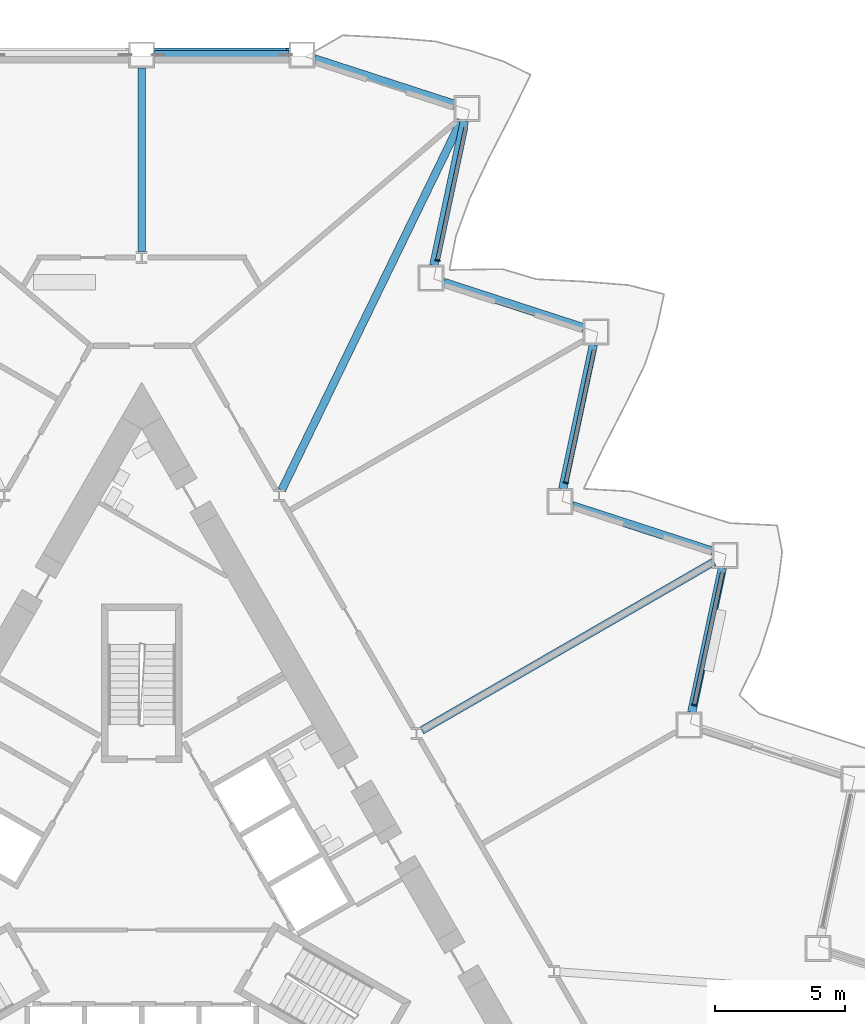
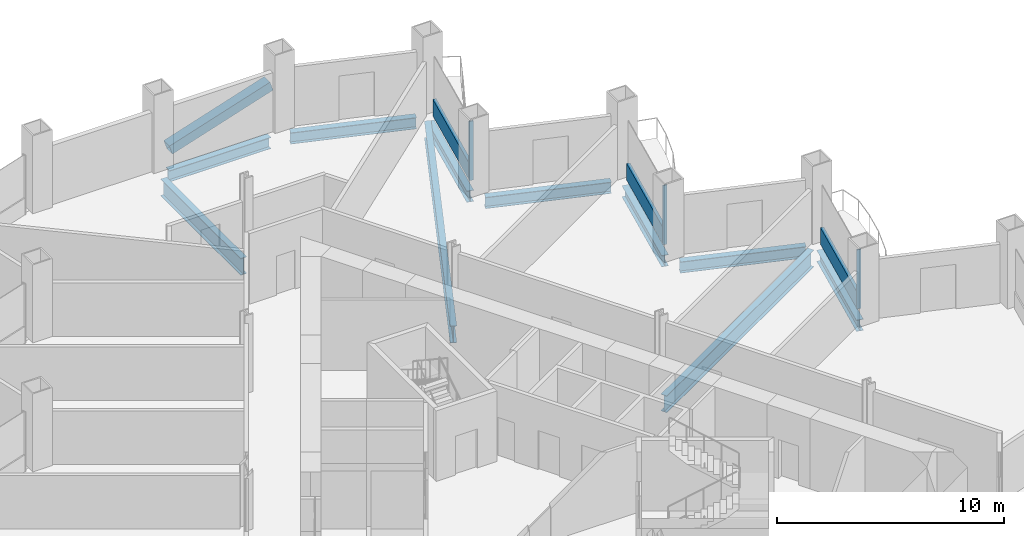
# One storey, part 7 of 21: 10 beams, 7 members, 3 elements without a shape of their own.
"""IFC4 building model written with IfcOpenShell, lengths in metres."""

from ifc_helpers import new_model, si_unit, direction, frame, origin, origin_2d, place, context, subcontext, project, spatial, rectangle, hollow_rectangle, i_section, extrude, material, layer, layer_set, material_profile, profile_set, type_object, element, aggregate, save


model = new_model("IFC4")

# Units and contexts
model_context = context("Model", 3, precision=1e-05, world=origin(), true_north=direction((0.0, 1.0)))
body_context = subcontext(model_context, "Body", "Model", "MODEL_VIEW")
ifc_project = project(units=[si_unit("LENGTHUNIT", "METRE"), si_unit("AREAUNIT", "SQUARE_METRE"), si_unit("VOLUMEUNIT", "CUBIC_METRE"), si_unit("PLANEANGLEUNIT", "RADIAN"), si_unit("MASSUNIT", "GRAM", prefix="KILO")], contexts=[model_context])

# Site, building, storey
site_placement = place(None, origin())
site = spatial("IfcSite", under=ifc_project, at=site_placement, CompositionType="ELEMENT")
building_placement = place(site_placement, origin())
building = spatial("IfcBuilding", under=site, at=building_placement, Name="Cormorant Prow Tower", CompositionType="ELEMENT")
storey_placement = place(building_placement, frame((0.0, 0.0, 80.39990234375)))
storey = spatial("IfcBuildingStorey", under=building, at=storey_placement, Name="L17", CompositionType="ELEMENT", Elevation=80.39990234375)

# Member
ifc_material_1 = material(Name="Structural steel ASTM A500 Gr C", Category="steel")
ifc_material_profile_1 = material_profile(ifc_material_1, hollow_rectangle(XDim=0.508056640625, YDim=0.508056640625, WallThickness=0.014892578125, at=origin_2d()), Name="HSS20x20x5/8")
ifc_profile_set_1 = profile_set([ifc_material_profile_1], Name="Structural steel ASTM A500 Gr C")
member_type_1 = type_object("IfcMemberType", Name="Chamfer brace HSS20x20x5/8", PredefinedType="BRACE", material=ifc_profile_set_1)
member_1_placement = place(storey_placement, frame((0.518798828125, 32.233642578125, 0.767333984375), z_axis=(0.951761092368, 0.0, 0.306840061033), x_axis=(0.0, 1.0, 0.0)))
element("IfcMember", 1, at=member_1_placement, inside=storey, type_object=member_type_1, Name="Chamfer brace BR1 at N00 L17", PredefinedType="BRACE", context=body_context, shape_type="SweptSolid", body=[
    extrude(hollow_rectangle(XDim=0.508056640625, YDim=0.508056640625, WallThickness=0.014892578125, at=origin_2d()), origin(), (0.0, 0.0, 1.0), 5.39208984375),
])

# Curtain wall, member
ifc_material_2 = material(Name="Aluminium 6063-T6", Category="aluminium")
ifc_layer = layer(ifc_material_2, 0.199951171875)
ifc_layer_set = layer_set([ifc_layer], Name="Aluminium 6063-T6")
curtain_wall_type = type_object("IfcCurtainWallType", Name="Office unitised curtain wall 200", PredefinedType="NOTDEFINED", material=ifc_layer_set)
curtain_wall_1_placement = place(storey_placement, origin())
curtain_wall_1 = element("IfcCurtainWall", 2, at=curtain_wall_1_placement, inside=storey, type_object=curtain_wall_type, Name="Office curtain wall ENE04", PredefinedType="NOTDEFINED")
ifc_material_3 = material(Name="Aluminium 6063-T6", Category="aluminium")
ifc_material_profile_2 = material_profile(ifc_material_3, rectangle(XDim=0.199951171875, YDim=0.06005859375, at=origin_2d()), Name="Office mullion 60x200")
ifc_profile_set_2 = profile_set([ifc_material_profile_2], Name="Aluminium 6063-T6")
member_type_2 = type_object("IfcMemberType", Name="Office mullion 60x200", PredefinedType="MULLION", material=ifc_profile_set_2)
member_2_placement = place(storey_placement, frame((21.271484375, 7.205322265625, 0.0), z_axis=(0.0, 0.0, 1.0), x_axis=(-0.978147594021, 0.207911722401, 0.0)))
member_2 = element("IfcMember", 3, at=member_2_placement, type_object=member_type_2, Name="Office mullion ENE04", PredefinedType="MULLION", context=body_context, shape_type="SweptSolid", body=[
    extrude(rectangle(XDim=0.199951171875, YDim=0.06005859375, at=origin_2d()), origin(), (0.0, 0.0, 1.0), 3.18896484375),
])

curtain_wall_2_placement = place(storey_placement, origin())
curtain_wall_2 = element("IfcCurtainWall", 4, at=curtain_wall_2_placement, inside=storey, type_object=curtain_wall_type, Name="Office curtain wall ENE06", PredefinedType="NOTDEFINED")
member_3_placement = place(storey_placement, frame((16.3310546875, 15.762451171875, 0.0), z_axis=(0.0, 0.0, 1.0), x_axis=(-0.978147594021, 0.207911722401, 0.0)))
member_3 = element("IfcMember", 5, at=member_3_placement, type_object=member_type_2, Name="Office mullion ENE06", PredefinedType="MULLION", context=body_context, shape_type="SweptSolid", body=[
    extrude(rectangle(XDim=0.199951171875, YDim=0.06005859375, at=origin_2d()), origin(), (0.0, 0.0, 1.0), 3.18896484375),
])

curtain_wall_3_placement = place(storey_placement, origin())
curtain_wall_3 = element("IfcCurtainWall", 6, at=curtain_wall_3_placement, inside=storey, type_object=curtain_wall_type, Name="Office curtain wall ENE08", PredefinedType="NOTDEFINED")
member_4_placement = place(storey_placement, frame((11.390625, 24.319580078125, 0.0), z_axis=(0.0, 0.0, 1.0), x_axis=(-0.978147594021, 0.207911722401, 0.0)))
member_4 = element("IfcMember", 7, at=member_4_placement, type_object=member_type_2, Name="Office mullion ENE08", PredefinedType="MULLION", context=body_context, shape_type="SweptSolid", body=[
    extrude(rectangle(XDim=0.199951171875, YDim=0.06005859375, at=origin_2d()), origin(), (0.0, 0.0, 1.0), 3.18896484375),
])

# Member
ifc_material_4 = material(Name="Terracotta", Category="masonry")
ifc_material_profile_3 = material_profile(ifc_material_4, rectangle(XDim=0.159912109375, YDim=0.89990234375, at=origin_2d()), Name="Office terracotta spandrel rail 160x900")
ifc_profile_set_3 = profile_set([ifc_material_profile_3], Name="Terracotta")
member_type_3 = type_object("IfcMemberType", Name="Office terracotta spandrel rail 160x900", PredefinedType="USERDEFINED", material=ifc_profile_set_3)
member_5_placement = place(storey_placement, frame((21.27783203125, 7.23486328125, 0.4501953125), z_axis=(0.207916794686, 0.978146515859, 0.0), x_axis=(-0.978146515859, 0.207916794686, 0.0)))
member_5 = element("IfcMember", 8, at=member_5_placement, type_object=member_type_3, Name="Office spandrel rail ENE04", ObjectType="TRANSOM", PredefinedType="USERDEFINED", context=body_context, shape_type="SweptSolid", body=[
    extrude(rectangle(XDim=0.159912109375, YDim=0.89990234375, at=origin_2d()), origin(), (0.0, 0.0, 1.0), 5.181884765625),
])

aggregate(curtain_wall_1, [member_2, member_5])

member_6_placement = place(storey_placement, frame((16.33740234375, 15.791748046875, 0.4501953125), z_axis=(0.207907213273, 0.978148552455, 0.0), x_axis=(-0.978148552455, 0.207907213273, 0.0)))
member_6 = element("IfcMember", 9, at=member_6_placement, type_object=member_type_3, Name="Office spandrel rail ENE06", ObjectType="TRANSOM", PredefinedType="USERDEFINED", context=body_context, shape_type="SweptSolid", body=[
    extrude(rectangle(XDim=0.159912109375, YDim=0.89990234375, at=origin_2d()), origin(), (0.0, 0.0, 1.0), 5.18212890625),
])

aggregate(curtain_wall_2, [member_3, member_6])

member_7_placement = place(storey_placement, frame((11.39697265625, 24.348876953125, 0.4501953125), z_axis=(0.207907213273, 0.978148552455, 0.0), x_axis=(-0.978148552455, 0.207907213273, 0.0)))
member_7 = element("IfcMember", 10, at=member_7_placement, type_object=member_type_3, Name="Office spandrel rail ENE08", ObjectType="TRANSOM", PredefinedType="USERDEFINED", context=body_context, shape_type="SweptSolid", body=[
    extrude(rectangle(XDim=0.159912109375, YDim=0.89990234375, at=origin_2d()), origin(), (0.0, 0.0, 1.0), 5.18212890625),
])

aggregate(curtain_wall_3, [member_4, member_7])

# Beams
ifc_material_5 = material(Name="Structural steel ASTM A992 Gr 50", Category="steel")
ifc_material_profile_4 = material_profile(ifc_material_5, i_section(OverallWidth=0.3046875, OverallDepth=0.914794921875, WebThickness=0.0166015625, FlangeThickness=0.02587890625, at=origin_2d()), Name="W36x160")
ifc_profile_set_4 = profile_set([ifc_material_profile_4], Name="Structural steel ASTM A992 Gr 50")
beam_type_1 = type_object("IfcBeamType", Name="Radial floor beam W36x160", PredefinedType="BEAM", material=ifc_profile_set_4)
beam_1_placement = place(storey_placement, frame((0.0, 24.662109375, -0.857177734375), z_axis=(0.0, 1.0, 0.0), x_axis=(-1.0, 0.0, 0.0)))
element("IfcBeam", 11, at=beam_1_placement, inside=storey, type_object=beam_type_1, Name="Radial floor beam FB1 1 L17", PredefinedType="BEAM", context=body_context, shape_type="SweptSolid", body=[
    extrude(i_section(OverallWidth=0.3046875, OverallDepth=0.914794921875, WebThickness=0.0166015625, FlangeThickness=0.02587890625, at=origin_2d()), origin(), (0.0, 0.0, 1.0), 7.071533203125),
])
beam_2_placement = place(storey_placement, frame((10.779541015625, 6.2236328125, -0.857177734375), z_axis=(0.866030278318, 0.499991556966, 0.0), x_axis=(-0.499991556966, 0.866030278318, 0.0)))
element("IfcBeam", 12, at=beam_2_placement, inside=storey, type_object=beam_type_1, Name="Radial floor beam FB1 11 L17", PredefinedType="BEAM", context=body_context, shape_type="SweptSolid", body=[
    extrude(i_section(OverallWidth=0.3046875, OverallDepth=0.914794921875, WebThickness=0.0166015625, FlangeThickness=0.02587890625, at=origin_2d()), origin(), (0.0, 0.0, 1.0), 12.984130859375),
])
beam_3_placement = place(storey_placement, frame((5.390625, 15.4775390625, -0.857177734375), z_axis=(0.436839436813, 0.899539496879, 0.0), x_axis=(-0.899539496879, 0.436839436813, 0.0)))
element("IfcBeam", 13, at=beam_3_placement, inside=storey, type_object=beam_type_1, Name="Radial floor beam FB1 12 L17", PredefinedType="BEAM", context=body_context, shape_type="SweptSolid", body=[
    extrude(i_section(OverallWidth=0.3046875, OverallDepth=0.914794921875, WebThickness=0.0166015625, FlangeThickness=0.02587890625, at=origin_2d()), origin(), (0.0, 0.0, 1.0), 15.83203125),
])
ifc_material_6 = material(Name="Structural steel ASTM A992 Gr 50", Category="steel")
ifc_material_profile_5 = material_profile(ifc_material_6, i_section(OverallWidth=0.32373046875, OverallDepth=0.611083984375, WebThickness=0.0126953125, FlangeThickness=0.01904296875, at=origin_2d()), Name="W24x104")
ifc_profile_set_5 = profile_set([ifc_material_profile_5], Name="Structural steel ASTM A992 Gr 50")
beam_type_2 = type_object("IfcBeamType", Name="Spandrel beam W24x104", PredefinedType="SPANDREL", material=ifc_profile_set_5)
beam_4_placement = place(storey_placement, frame((21.171875, 6.918212890625, -0.70556640625), z_axis=(0.207900376723, 0.97815000555, 0.0), x_axis=(-0.97815000555, 0.207900376723, 0.0)))
element("IfcBeam", 14, at=beam_4_placement, inside=storey, type_object=beam_type_2, Name="Spandrel beam SB1 ENE04-ENE05 L17", PredefinedType="SPANDREL", context=body_context, shape_type="SweptSolid", body=[
    extrude(i_section(OverallWidth=0.32373046875, OverallDepth=0.611083984375, WebThickness=0.0126953125, FlangeThickness=0.01904296875, at=origin_2d()), origin(), (0.0, 0.0, 1.0), 5.6826171875),
])
beam_5_placement = place(storey_placement, frame((21.981689453125, 13.1201171875, -0.70556640625), z_axis=(-0.951049222751, 0.309039440696, 0.0), x_axis=(-0.309039440696, -0.951049222751, 0.0)))
element("IfcBeam", 15, at=beam_5_placement, inside=storey, type_object=beam_type_2, Name="Spandrel beam SB1 ENE05-ENE06 L17", PredefinedType="SPANDREL", context=body_context, shape_type="SweptSolid", body=[
    extrude(i_section(OverallWidth=0.32373046875, OverallDepth=0.611083984375, WebThickness=0.0126953125, FlangeThickness=0.01904296875, at=origin_2d()), origin(), (0.0, 0.0, 1.0), 5.682373046875),
])
beam_6_placement = place(storey_placement, frame((16.205810546875, 15.519775390625, -0.70556640625), z_axis=(0.207900376723, 0.97815000555, 0.0), x_axis=(-0.97815000555, 0.207900376723, 0.0)))
element("IfcBeam", 16, at=beam_6_placement, inside=storey, type_object=beam_type_2, Name="Spandrel beam SB1 ENE06-ENE07 L17", PredefinedType="SPANDREL", context=body_context, shape_type="SweptSolid", body=[
    extrude(i_section(OverallWidth=0.32373046875, OverallDepth=0.611083984375, WebThickness=0.0126953125, FlangeThickness=0.01904296875, at=origin_2d()), origin(), (0.0, 0.0, 1.0), 5.6826171875),
])
beam_7_placement = place(storey_placement, frame((17.015625, 21.7216796875, -0.70556640625), z_axis=(-0.951049222751, 0.309039440696, 0.0), x_axis=(-0.309039440696, -0.951049222751, 0.0)))
element("IfcBeam", 17, at=beam_7_placement, inside=storey, type_object=beam_type_2, Name="Spandrel beam SB1 ENE07-ENE08 L17", PredefinedType="SPANDREL", context=body_context, shape_type="SweptSolid", body=[
    extrude(i_section(OverallWidth=0.32373046875, OverallDepth=0.611083984375, WebThickness=0.0126953125, FlangeThickness=0.01904296875, at=origin_2d()), origin(), (0.0, 0.0, 1.0), 5.682373046875),
])
beam_8_placement = place(storey_placement, frame((11.23974609375, 24.121337890625, -0.70556640625), z_axis=(0.207900376723, 0.97815000555, 0.0), x_axis=(-0.97815000555, 0.207900376723, 0.0)))
element("IfcBeam", 18, at=beam_8_placement, inside=storey, type_object=beam_type_2, Name="Spandrel beam SB1 ENE08-ENE09 L17", PredefinedType="SPANDREL", context=body_context, shape_type="SweptSolid", body=[
    extrude(i_section(OverallWidth=0.32373046875, OverallDepth=0.611083984375, WebThickness=0.0126953125, FlangeThickness=0.01904296875, at=origin_2d()), origin(), (0.0, 0.0, 1.0), 5.6826171875),
])
beam_9_placement = place(storey_placement, frame((12.049560546875, 30.3232421875, -0.70556640625), z_axis=(-0.951061849722, 0.309000579292, 0.0), x_axis=(-0.309000579292, -0.951061849722, 0.0)))
element("IfcBeam", 19, at=beam_9_placement, inside=storey, type_object=beam_type_2, Name="Spandrel beam SB1 ENE09-N00 L17", PredefinedType="SPANDREL", context=body_context, shape_type="SweptSolid", body=[
    extrude(i_section(OverallWidth=0.32373046875, OverallDepth=0.611083984375, WebThickness=0.0126953125, FlangeThickness=0.01904296875, at=origin_2d()), origin(), (0.0, 0.0, 1.0), 5.682373046875),
])
beam_10_placement = place(storey_placement, frame((5.669677734375, 32.233642578125, -0.70556640625), z_axis=(-1.0, 0.0, 0.0), x_axis=(0.0, -1.0, 0.0)))
element("IfcBeam", 20, at=beam_10_placement, inside=storey, type_object=beam_type_2, Name="Spandrel beam SB1 N00-N01 L17", PredefinedType="SPANDREL", context=body_context, shape_type="SweptSolid", body=[
    extrude(i_section(OverallWidth=0.32373046875, OverallDepth=0.611083984375, WebThickness=0.0126953125, FlangeThickness=0.01904296875, at=origin_2d()), origin(), (0.0, 0.0, 1.0), 5.169677734375),
])

save(model, "model.ifc")
